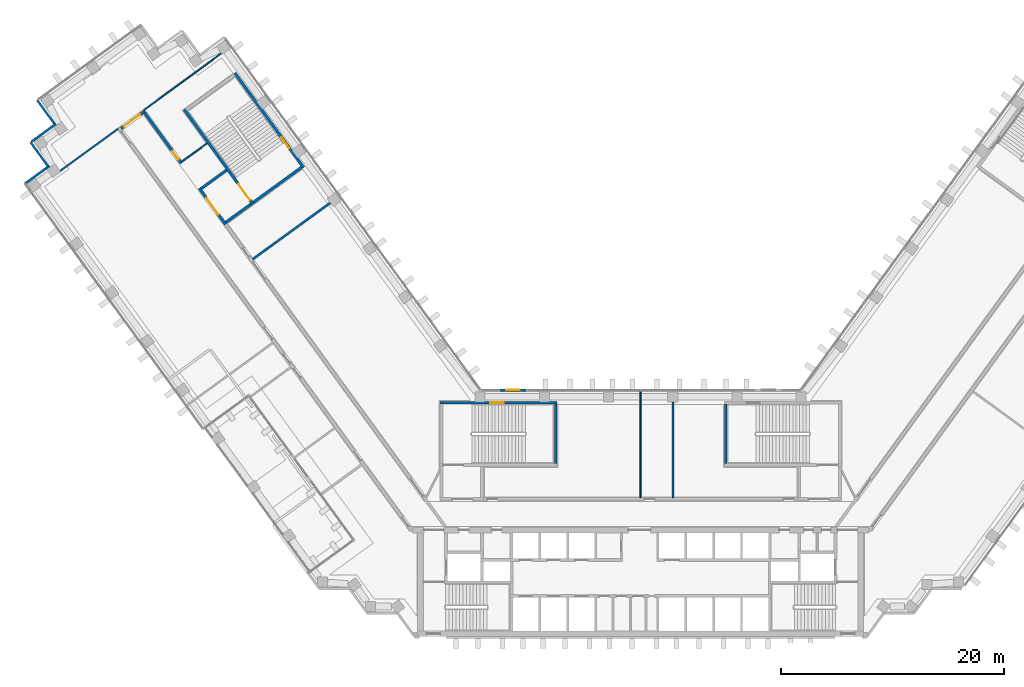
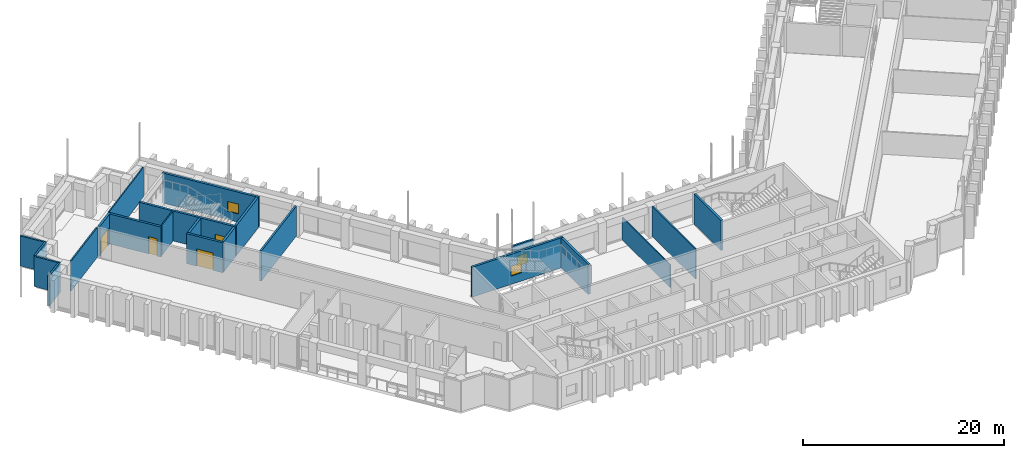
# One storey, part 12 of 18: 22 walls, 4 doors, 3 windows, 7 openings.
"""IFC4 building model written with IfcOpenShell, lengths in metres."""

from ifc_helpers import new_model, si_unit, direction, frame, frame_2d, origin, place, context, subcontext, project, spatial, rectangle, extrude, material, layer, layer_set, type_object, element, fill, save


model = new_model("IFC4")

# Units and contexts
model_context = context("Model", 3, precision=1e-05, world=origin(), true_north=direction((0.0, 1.0)))
body_context = subcontext(model_context, "Body", "Model", "MODEL_VIEW")
ifc_project = project(units=[si_unit("LENGTHUNIT", "METRE"), si_unit("AREAUNIT", "SQUARE_METRE"), si_unit("VOLUMEUNIT", "CUBIC_METRE"), si_unit("PLANEANGLEUNIT", "RADIAN"), si_unit("MASSUNIT", "GRAM", prefix="KILO")], contexts=[model_context])

# Site, building, storey
site_placement = place(None, origin())
site = spatial("IfcSite", under=ifc_project, at=site_placement, CompositionType="ELEMENT")
building_placement = place(site_placement, origin())
building = spatial("IfcBuilding", under=site, at=building_placement, Name="Quipu Civic Tower", CompositionType="ELEMENT")
storey_placement = place(building_placement, frame((0.0, 0.0, 59.0)))
storey = spatial("IfcBuildingStorey", under=building, at=storey_placement, Name="L13", CompositionType="ELEMENT", Elevation=59.0)

# Walls
ifc_material_1 = material(Name="Double gypsum plasterboard with mineral wool")
ifc_layer_1 = layer(ifc_material_1, 0.14990234375)
ifc_layer_set_1 = layer_set([ifc_layer_1], Name="Double gypsum plasterboard with mineral wool")
wall_type_1 = type_object("IfcWallType", Name="Acoustic partition 150 plasterboard", PredefinedType="PARTITIONING", material=ifc_layer_set_1)
wall_1_placement = place(storey_placement, frame((-52.06201171875, 30.783447265625, 0.0), z_axis=(0.0, 0.0, 1.0), x_axis=(0.808992766665, 0.58781859743, 0.0)))
element("IfcWall", 1, at=wall_1_placement, inside=storey, type_object=wall_type_1, Name="Partition P04", PredefinedType="PARTITIONING", context=body_context, shape_type="SweptSolid", body=[
    extrude(rectangle(XDim=6.414306640625, YDim=0.14990234375, at=frame_2d((3.20703125, 0.0))), origin(), (0.0, 0.0, 1.0), 3.64990234375),
])
wall_2_placement = place(storey_placement, frame((2.89892578125, 10.044921875, 0.0), z_axis=(0.0, 0.0, 1.0), x_axis=(0.0, -1.0, 0.0)))
element("IfcWall", 2, at=wall_2_placement, inside=storey, type_object=wall_type_1, Name="Partition P05", PredefinedType="PARTITIONING", context=body_context, shape_type="SweptSolid", body=[
    extrude(rectangle(XDim=8.594970703125, YDim=0.14990234375, at=frame_2d((4.29736328125, 0.0))), origin(), (0.0, 0.0, 1.0), 3.64990234375),
])
ifc_material_2 = material(Name="Fired clay blockwork", Category="masonry")
ifc_layer_2 = layer(ifc_material_2, 0.199951171875)
ifc_layer_set_2 = layer_set([ifc_layer_2], Name="Fired clay blockwork")
wall_type_2 = type_object("IfcWallType", Name="Blockwork wall 200", PredefinedType="SOLIDWALL", material=ifc_layer_set_2)
wall_3_placement = place(storey_placement, frame((-27.851318359375, 27.8974609375, 0.0), z_axis=(0.0, 0.0, 1.0), x_axis=(-0.809030728677, -0.587766348183, 0.0)))
element("IfcWall", 3, at=wall_3_placement, inside=storey, type_object=wall_type_2, Name="Partition P02", PredefinedType="SOLIDWALL", context=body_context, shape_type="SweptSolid", body=[
    extrude(rectangle(XDim=8.596435546875, YDim=0.199951171875, at=frame_2d((4.29833984375, 0.0))), origin(), (0.0, 0.0, 1.0), 3.64990234375),
])
ifc_material_3 = material(Name="Concrete C70/85", Category="concrete")
ifc_layer_3 = layer(ifc_material_3, 0.25)
ifc_layer_set_3 = layer_set([ifc_layer_3], Name="Concrete C70/85")
wall_type_3 = type_object("IfcWallType", Name="Core wall 250", PredefinedType="SHEAR", material=ifc_layer_set_3)
wall_4_placement = place(storey_placement, frame((-7.625, 4.5, 0.0), z_axis=(0.0, 0.0, 1.0), x_axis=(0.0, 1.0, 0.0)))
element("IfcWall", 4, at=wall_4_placement, inside=storey, type_object=wall_type_3, Name="Core wall", PredefinedType="SHEAR", context=body_context, shape_type="SweptSolid", body=[
    extrude(rectangle(XDim=5.35009765625, YDim=0.25, at=frame_2d((2.675048828125, 0.0))), origin(), (0.0, 0.0, 1.0), 3.64990234375),
])

# Wall, opening, window
wall_5_placement = place(storey_placement, frame((-18.0, 9.97509765625, 0.0), z_axis=(0.0, 0.0, 1.0), x_axis=(1.0, 0.0, 0.0)))
wall_5 = element("IfcWall", 5, at=wall_5_placement, inside=storey, type_object=wall_type_3, Name="Core wall", PredefinedType="SHEAR", context=body_context, shape_type="SweptSolid", body=[
    extrude(rectangle(XDim=10.5, YDim=0.25, at=frame_2d((5.25, 0.0))), origin(), (0.0, 0.0, 1.0), 3.64990234375),
])
opening_1_placement = place(wall_5_placement, frame((4.5, 0.0, 1.0)))
opening_1 = element("IfcOpeningElement", 6, at=opening_1_placement, cuts=wall_5, Name="Opening SV-3", PredefinedType="OPENING", context=body_context, shape_type="SweptSolid", body=[
    extrude(rectangle(XDim=1.199951171875, YDim=1.199951171875, at=frame_2d((0.60009765625, 0.60009765625))), frame((0.0, 0.135009765625, 0.0), z_axis=(0.0, -1.0, 0.0), x_axis=(1.0, 0.0, 0.0)), (0.0, 0.0, 1.0), 0.27001953125),
])
ifc_material_4 = material(Name="Aluminium louvre", Category="aluminium")
window_type_1 = type_object("IfcWindowType", Name="Stair ventilation louvre 1200 x 1200", PartitioningType="SINGLE_PANEL", PredefinedType="WINDOW", material=ifc_material_4)
window_1_placement = place(opening_1_placement, origin())
window_1 = element("IfcWindow", 7, at=window_1_placement, inside=storey, type_object=window_type_1, Name="Stair ventilation opening", OverallHeight=1.199951171875, OverallWidth=1.199951171875, PartitioningType="SINGLE_PANEL", PredefinedType="WINDOW", context=body_context, shape_type="SweptSolid", body=[
    extrude(rectangle(XDim=1.199951171875, YDim=1.199951171875, at=frame_2d((0.60009765625, 0.60009765625))), frame((0.0, 0.030029296875, 0.0), z_axis=(0.0, -1.0, 0.0), x_axis=(1.0, 0.0, 0.0)), (0.0, 0.0, 1.0), 0.06005859375),
])
fill(opening_1, window_1)

# Wall
wall_6_placement = place(storey_placement, frame((7.625, 4.5, 0.0), z_axis=(0.0, 0.0, 1.0), x_axis=(0.0, 1.0, 0.0)))
element("IfcWall", 8, at=wall_6_placement, inside=storey, type_object=wall_type_3, Name="Core wall", PredefinedType="SHEAR", context=body_context, shape_type="SweptSolid", body=[
    extrude(rectangle(XDim=5.35009765625, YDim=0.25, at=frame_2d((2.675048828125, 0.0))), origin(), (0.0, 0.0, 1.0), 3.64990234375),
])

# Wall, opening, window
wall_7_placement = place(storey_placement, frame((-30.239501953125, 31.06396484375, 0.0), z_axis=(0.0, 0.0, 1.0), x_axis=(-0.587795589702, 0.809009483706, 0.0)))
wall_7 = element("IfcWall", 9, at=wall_7_placement, inside=storey, type_object=wall_type_3, Name="Core wall", PredefinedType="SHEAR", context=body_context, shape_type="SweptSolid", body=[
    extrude(rectangle(XDim=10.5, YDim=0.25, at=frame_2d((5.25, 0.0))), origin(), (0.0, 0.0, 1.0), 3.64990234375),
])
opening_2_placement = place(wall_7_placement, frame((2.14990234375, 0.0, 1.0)))
opening_2 = element("IfcOpeningElement", 10, at=opening_2_placement, cuts=wall_7, Name="Opening SV-6", PredefinedType="OPENING", context=body_context, shape_type="SweptSolid", body=[
    extrude(rectangle(XDim=1.199951171875, YDim=1.199951171875, at=frame_2d((0.60009765625, 0.60009765625))), frame((0.0, 0.135009765625, 0.0), z_axis=(0.0, -1.0, 0.0), x_axis=(1.0, 0.0, 0.0)), (0.0, 0.0, 1.0), 0.27001953125),
])
window_2_placement = place(opening_2_placement, origin())
window_2 = element("IfcWindow", 11, at=window_2_placement, inside=storey, type_object=window_type_1, Name="Stair ventilation opening", OverallHeight=1.199951171875, OverallWidth=1.199951171875, PartitioningType="SINGLE_PANEL", PredefinedType="WINDOW", context=body_context, shape_type="SweptSolid", body=[
    extrude(rectangle(XDim=1.199951171875, YDim=1.199951171875, at=frame_2d((0.60009765625, 0.60009765625))), frame((0.0, 0.030029296875, 0.0), z_axis=(0.0, -1.0, 0.0), x_axis=(1.0, 0.0, 0.0)), (0.0, 0.0, 1.0), 0.06005859375),
])
fill(opening_2, window_2)

# Wall
wall_8_placement = place(storey_placement, frame((-30.414306640625, 31.091796875, 0.0), z_axis=(0.0, 0.0, 1.0), x_axis=(-0.8089984606, -0.587810760999, 0.0)))
element("IfcWall", 12, at=wall_8_placement, inside=storey, type_object=wall_type_3, Name="Core wall", PredefinedType="SHEAR", context=body_context, shape_type="SweptSolid", body=[
    extrude(rectangle(XDim=5.35009765625, YDim=0.25, at=frame_2d((2.675048828125, 0.0))), origin(), (0.0, 0.0, 1.0), 3.64990234375),
])

# Wall, opening, door
wall_9_placement = place(storey_placement, frame((-40.94189453125, 36.26708984375, 0.0), z_axis=(0.0, 0.0, 1.0), x_axis=(0.587795589702, -0.809009483706, 0.0)))
wall_9 = element("IfcWall", 13, at=wall_9_placement, inside=storey, type_object=wall_type_3, Name="Core wall", PredefinedType="SHEAR", context=body_context, shape_type="SweptSolid", body=[
    extrude(rectangle(XDim=10.5, YDim=0.25, at=frame_2d((5.25, 0.0))), origin(), (0.0, 0.0, 1.0), 3.64990234375),
])
opening_3_placement = place(wall_9_placement, frame((8.25, 0.0, 0.0)))
opening_3 = element("IfcOpeningElement", 14, at=opening_3_placement, cuts=wall_9, Name="Opening CD-20", PredefinedType="OPENING", context=body_context, shape_type="SweptSolid", body=[
    extrude(rectangle(XDim=1.800048828125, YDim=2.10009765625, at=frame_2d((0.89990234375, 1.050048828125))), frame((0.0, 0.135009765625, 0.0), z_axis=(0.0, -1.0, 0.0), x_axis=(1.0, 0.0, 0.0)), (0.0, 0.0, 1.0), 0.27001953125),
])
ifc_material_5 = material(Name="Fire rated steel door", Category="steel")
door_type_1 = type_object("IfcDoorType", Name="Fire door FD90 double 1800 x 2100", OperationType="NOTDEFINED", PredefinedType="DOOR", material=ifc_material_5)
door_1_placement = place(opening_3_placement, origin())
door_1 = element("IfcDoor", 15, at=door_1_placement, inside=storey, type_object=door_type_1, Name="Door", OperationType="DOUBLE_DOOR_SINGLE_SWING", OverallHeight=2.10009765625, OverallWidth=1.800048828125, PredefinedType="DOOR", context=body_context, shape_type="SweptSolid", body=[
    extrude(rectangle(XDim=1.800048828125, YDim=2.10009765625, at=frame_2d((0.89990234375, 1.050048828125))), frame((0.0, 0.02490234375, 0.0), z_axis=(0.0, -1.0, 0.0), x_axis=(1.0, 0.0, 0.0)), (0.0, 0.0, 1.0), 0.050048828125),
])
fill(opening_3, door_1)

# Walls
for number, where, z_axis, x_axis, name in (
    (16, (-34.944580078125, 27.800048828125, 0.0), (0.0, 0.0, 1.0), (-0.809041377956, -0.587751689708, 0.0), "Core wall"),
    (17, (-37.14892578125, 30.833984375, 0.0), (0.0, 0.0, 1.0), (-0.808969789945, -0.58785021813, 0.0), "Core wall"),
):
    element("IfcWall", number, at=place(storey_placement, frame(where, z_axis=z_axis, x_axis=x_axis)), inside=storey, type_object=wall_type_3, Name=name, PredefinedType="SHEAR", context=body_context, shape_type="SweptSolid", body=[
        extrude(rectangle(XDim=2.800048828125, YDim=0.25, at=frame_2d((1.39990234375, 0.0))), origin(), (0.0, 0.0, 1.0), 3.64990234375),
    ])

# Wall, opening, door
wall_10_placement = place(storey_placement, frame((-39.588623046875, 29.2158203125, 0.0), z_axis=(0.0, 0.0, 1.0), x_axis=(0.587772420479, -0.809026317077, 0.0)))
wall_10 = element("IfcWall", 18, at=wall_10_placement, inside=storey, type_object=wall_type_3, Name="Core wall", PredefinedType="SHEAR", context=body_context, shape_type="SweptSolid", body=[
    extrude(rectangle(XDim=4.0, YDim=0.25, at=frame_2d((2.0, 0.0))), origin(), (0.0, 0.0, 1.0), 3.64990234375),
])
opening_4_placement = place(wall_10_placement, frame((1.10009765625, 0.0, 0.0)))
opening_4 = element("IfcOpeningElement", 19, at=opening_4_placement, cuts=wall_10, Name="Opening CD-21", PredefinedType="OPENING", context=body_context, shape_type="SweptSolid", body=[
    extrude(rectangle(XDim=1.800048828125, YDim=2.10009765625, at=frame_2d((0.89990234375, 1.050048828125))), frame((0.0, 0.135009765625, 0.0), z_axis=(0.0, -1.0, 0.0), x_axis=(1.0, 0.0, 0.0)), (0.0, 0.0, 1.0), 0.27001953125),
])
door_2_placement = place(opening_4_placement, origin())
door_2 = element("IfcDoor", 20, at=door_2_placement, inside=storey, type_object=door_type_1, Name="Lobby door", OperationType="DOUBLE_DOOR_SINGLE_SWING", OverallHeight=2.10009765625, OverallWidth=1.800048828125, PredefinedType="DOOR", context=body_context, shape_type="SweptSolid", body=[
    extrude(rectangle(XDim=1.800048828125, YDim=2.10009765625, at=frame_2d((0.89990234375, 1.050048828125))), frame((0.0, 0.02490234375, 0.0), z_axis=(0.0, -1.0, 0.0), x_axis=(1.0, 0.0, 0.0)), (0.0, 0.0, 1.0), 0.050048828125),
])
fill(opening_4, door_2)

ifc_material_6 = material(Name="Concrete C50/60", Category="concrete")
ifc_layer_4 = layer(ifc_material_6, 0.25)
ifc_layer_set_4 = layer_set([ifc_layer_4], Name="Concrete C50/60")
wall_type_4 = type_object("IfcWallType", Name="Corridor wall 250 concrete", PredefinedType="SOLIDWALL", material=ifc_layer_set_4)
wall_11_placement = place(storey_placement, frame((-46.613037109375, 34.587890625, 0.0), z_axis=(0.0, 0.0, 1.0), x_axis=(0.808994936898, 0.587815610607, 0.0)))
wall_11 = element("IfcWall", 21, at=wall_11_placement, inside=storey, type_object=wall_type_4, Name="Corridor wall C02", PredefinedType="SOLIDWALL", context=body_context, shape_type="SweptSolid", body=[
    extrude(rectangle(XDim=2.650146484375, YDim=0.25, at=frame_2d((1.3251953125, 0.0))), origin(), (0.0, 0.0, 1.0), 3.64990234375),
])
opening_5_placement = place(wall_11_placement, frame((0.29931640625, 0.0, 0.0)))
opening_5 = element("IfcOpeningElement", 22, at=opening_5_placement, cuts=wall_11, Name="Opening D021", PredefinedType="OPENING", context=body_context, shape_type="SweptSolid", body=[
    extrude(rectangle(XDim=1.800048828125, YDim=2.10009765625, at=frame_2d((0.89990234375, 1.050048828125))), frame((0.0, 0.135009765625, 0.0), z_axis=(0.0, -1.0, 0.0), x_axis=(1.0, 0.0, 0.0)), (0.0, 0.0, 1.0), 0.27001953125),
])
ifc_material_7 = material(Name="Fire rated timber door set with metal frame", Category="wood")
door_type_2 = type_object("IfcDoorType", Name="Double door 1800 x 2100 FD60", OperationType="DOUBLE_DOOR_SINGLE_SWING", PredefinedType="DOOR", material=ifc_material_7)
door_3_placement = place(opening_5_placement, origin())
door_3 = element("IfcDoor", 23, at=door_3_placement, inside=storey, type_object=door_type_2, Name="Door D021", OperationType="DOUBLE_DOOR_SINGLE_SWING", OverallHeight=2.10009765625, OverallWidth=1.800048828125, PredefinedType="DOOR", context=body_context, shape_type="SweptSolid", body=[
    extrude(rectangle(XDim=1.800048828125, YDim=2.10009765625, at=frame_2d((0.89990234375, 1.050048828125))), frame((0.0, 0.02490234375, 0.0), z_axis=(0.0, -1.0, 0.0), x_axis=(1.0, 0.0, 0.0)), (0.0, 0.0, 1.0), 0.050048828125),
])
fill(opening_5, door_3)

wall_12_placement = place(storey_placement, frame((-44.49658203125, 35.97119140625, 0.0), z_axis=(0.0, 0.0, 1.0), x_axis=(0.587742866856, -0.809047787501, 0.0)))
wall_12 = element("IfcWall", 24, at=wall_12_placement, inside=storey, type_object=wall_type_4, Name="Corridor wall C03", PredefinedType="SOLIDWALL", context=body_context, shape_type="SweptSolid", body=[
    extrude(rectangle(XDim=5.58642578125, YDim=0.25, at=frame_2d((2.793212890625, 0.0))), origin(), (0.0, 0.0, 1.0), 3.64990234375),
])
opening_6_placement = place(wall_12_placement, frame((4.2451171875, 0.0, 0.0)))
opening_6 = element("IfcOpeningElement", 25, at=opening_6_placement, cuts=wall_12, Name="Opening D011", PredefinedType="OPENING", context=body_context, shape_type="SweptSolid", body=[
    extrude(rectangle(XDim=0.89990234375, YDim=2.10009765625, at=frame_2d((0.449951171875, 1.050048828125))), frame((0.0, 0.135009765625, 0.0), z_axis=(0.0, -1.0, 0.0), x_axis=(1.0, 0.0, 0.0)), (0.0, 0.0, 1.0), 0.27001953125),
])
ifc_material_8 = material(Name="Fire rated timber door set with metal frame", Category="wood")
door_type_3 = type_object("IfcDoorType", Name="Single door 900 x 2100 FD60", OperationType="NOTDEFINED", PredefinedType="DOOR", material=ifc_material_8)
door_4_placement = place(opening_6_placement, origin())
door_4 = element("IfcDoor", 26, at=door_4_placement, inside=storey, type_object=door_type_3, Name="Door D011", OperationType="SINGLE_SWING_RIGHT", OverallHeight=2.10009765625, OverallWidth=0.89990234375, PredefinedType="DOOR", context=body_context, shape_type="SweptSolid", body=[
    extrude(rectangle(XDim=0.89990234375, YDim=2.10009765625, at=frame_2d((0.449951171875, 1.050048828125))), frame((0.0, 0.02490234375, 0.0), z_axis=(0.0, -1.0, 0.0), x_axis=(1.0, 0.0, 0.0)), (0.0, 0.0, 1.0), 0.050048828125),
])
fill(opening_6, door_4)

# Walls
ifc_material_9 = material(Name="Gypsum plasterboard on light gauge framing")
ifc_layer_5 = layer(ifc_material_9, 0.1201171875)
ifc_layer_set_5 = layer_set([ifc_layer_5], Name="Gypsum plasterboard on light gauge framing")
wall_type_5 = type_object("IfcWallType", Name="Partition 120 plasterboard", PredefinedType="PARTITIONING", material=ifc_layer_set_5)
wall_13_placement = place(storey_placement, frame((-44.55908203125, 36.235107421875, 0.0), z_axis=(0.0, 0.0, 1.0), x_axis=(0.806949857155, 0.590619952286, 0.0)))
element("IfcWall", 27, at=wall_13_placement, inside=storey, type_object=wall_type_5, Name="Partition P03", PredefinedType="PARTITIONING", context=body_context, shape_type="SweptSolid", body=[
    extrude(rectangle(XDim=8.5703125, YDim=0.1201171875, at=frame_2d((4.28515625, 0.0))), origin(), (0.0, 0.0, 1.0), 3.64990234375),
])
wall_14_placement = place(storey_placement, frame((-0.02001953125, 1.449951171875, 0.0), z_axis=(0.0, 0.0, 1.0), x_axis=(0.0, 1.0, 0.0)))
element("IfcWall", 28, at=wall_14_placement, inside=storey, type_object=wall_type_5, Name="Partition P13", PredefinedType="PARTITIONING", context=body_context, shape_type="SweptSolid", body=[
    extrude(rectangle(XDim=9.550048828125, YDim=0.1201171875, at=frame_2d((4.77490234375, 0.0))), origin(), (0.0, 0.0, 1.0), 2.75),
])
wall_15_placement = place(storey_placement, frame((-41.166015625, 31.59912109375, 0.0), z_axis=(0.0, 0.0, 1.0), x_axis=(0.809090262332, 0.587684394381, 0.0)))
element("IfcWall", 29, at=wall_15_placement, inside=storey, type_object=wall_type_5, Name="Partition P16", PredefinedType="PARTITIONING", context=body_context, shape_type="SweptSolid", body=[
    extrude(rectangle(XDim=2.80078125, YDim=0.1201171875, at=frame_2d((1.400390625, 0.0))), origin(), (0.0, 0.0, 1.0), 3.64990234375),
])
ifc_material_10 = material(Name="Precast concrete C40/50", Category="concrete")
wall_type_6 = type_object("IfcWallType", Name="Precast cladding wall", PredefinedType="SOLIDWALL", material=ifc_material_10)
wall_16_placement = place(storey_placement, frame((-52.46533203125, 34.9873046875, 0.0), z_axis=(0.0, 0.0, 1.0), x_axis=(-0.809033161865, -0.587762999008, 0.0)))
element("IfcWall", 30, at=wall_16_placement, inside=storey, type_object=wall_type_6, Name="Precast cladding wall L13 P01", PredefinedType="SOLIDWALL", context=body_context, shape_type="SweptSolid", body=[
    extrude(rectangle(XDim=2.699951171875, YDim=0.199951171875, at=frame_2d((1.35009765625, 0.0))), origin(), (0.0, 0.0, 1.0), 3.64990234375),
])
wall_17_placement = place(storey_placement, frame((-54.73779296875, 33.351318359375, 0.0), z_axis=(0.0, 0.0, 1.0), x_axis=(0.587779184282, -0.809021403008, 0.0)))
element("IfcWall", 31, at=wall_17_placement, inside=storey, type_object=wall_type_6, Name="Precast cladding wall L13 P02", PredefinedType="SOLIDWALL", context=body_context, shape_type="SweptSolid", body=[
    extrude(rectangle(XDim=2.7001953125, YDim=0.199951171875, at=frame_2d((1.35009765625, 0.0))), origin(), (0.0, 0.0, 1.0), 3.64990234375),
])
for number, where, z_axis, x_axis, name in (
    (32, (-53.062744140625, 31.2158203125, 0.0), (0.0, 0.0, 1.0), (-0.809033161865, -0.587762999008, 0.0), "Precast cladding wall L13 P03"),
    (33, (-54.140380859375, 37.12255859375, 0.0), (0.0, 0.0, 1.0), (0.587822180636, -0.808990163075, 0.0), "Precast cladding wall L13 P12"),
):
    element("IfcWall", number, at=place(storey_placement, frame(where, z_axis=z_axis, x_axis=x_axis)), inside=storey, type_object=wall_type_6, Name=name, PredefinedType="SOLIDWALL", context=body_context, shape_type="SweptSolid", body=[
        extrude(rectangle(XDim=2.699951171875, YDim=0.199951171875, at=frame_2d((1.35009765625, 0.0))), origin(), (0.0, 0.0, 1.0), 3.64990234375),
    ])

# Wall, opening, window
wall_18_placement = place(storey_placement, frame((-10.263427734375, 11.10009765625, 0.0), z_axis=(0.0, 0.0, 1.0), x_axis=(-1.0, 0.0, 0.0)))
wall_18 = element("IfcWall", 34, at=wall_18_placement, inside=storey, type_object=wall_type_6, Name="Vent surround SF-L12-1", PredefinedType="SOLIDWALL", context=body_context, shape_type="SweptSolid", body=[
    extrude(rectangle(XDim=2.3916015625, YDim=0.199951171875, at=frame_2d((1.19580078125, 0.0))), origin(), (0.0, 0.0, 1.0), 3.64990234375),
])
opening_7_placement = place(wall_18_placement, frame((0.595703125, 0.0, 1.0)))
opening_7 = element("IfcOpeningElement", 35, at=opening_7_placement, cuts=wall_18, Name="Opening SF-L12-1", PredefinedType="OPENING", context=body_context, shape_type="SweptSolid", body=[
    extrude(rectangle(XDim=1.199951171875, YDim=1.199951171875, at=frame_2d((0.60009765625, 0.60009765625))), frame((0.0, 0.10986328125, 0.0), z_axis=(0.0, -1.0, 0.0), x_axis=(1.0, 0.0, 0.0)), (0.0, 0.0, 1.0), 0.219970703125),
])
ifc_material_11 = material(Name="Anodised aluminium louvre", Category="aluminium")
window_type_2 = type_object("IfcWindowType", Name="Stair vent louvre window P3", PartitioningType="SINGLE_PANEL", PredefinedType="WINDOW", material=ifc_material_11)
window_3_placement = place(opening_7_placement, origin())
window_3 = element("IfcWindow", 36, at=window_3_placement, inside=storey, type_object=window_type_2, Name="Stair vent louvre SF-L12-1", OverallHeight=1.199951171875, OverallWidth=1.199951171875, PartitioningType="SINGLE_PANEL", PredefinedType="WINDOW", context=body_context, shape_type="SweptSolid", body=[
    extrude(rectangle(XDim=1.199951171875, YDim=1.199951171875, at=frame_2d((0.60009765625, 0.60009765625))), frame((0.0, 0.030029296875, 0.0), z_axis=(0.0, -1.0, 0.0), x_axis=(1.0, 0.0, 0.0)), (0.0, 0.0, 1.0), 0.06005859375),
])
fill(opening_7, window_3)

save(model, "model.ifc")
